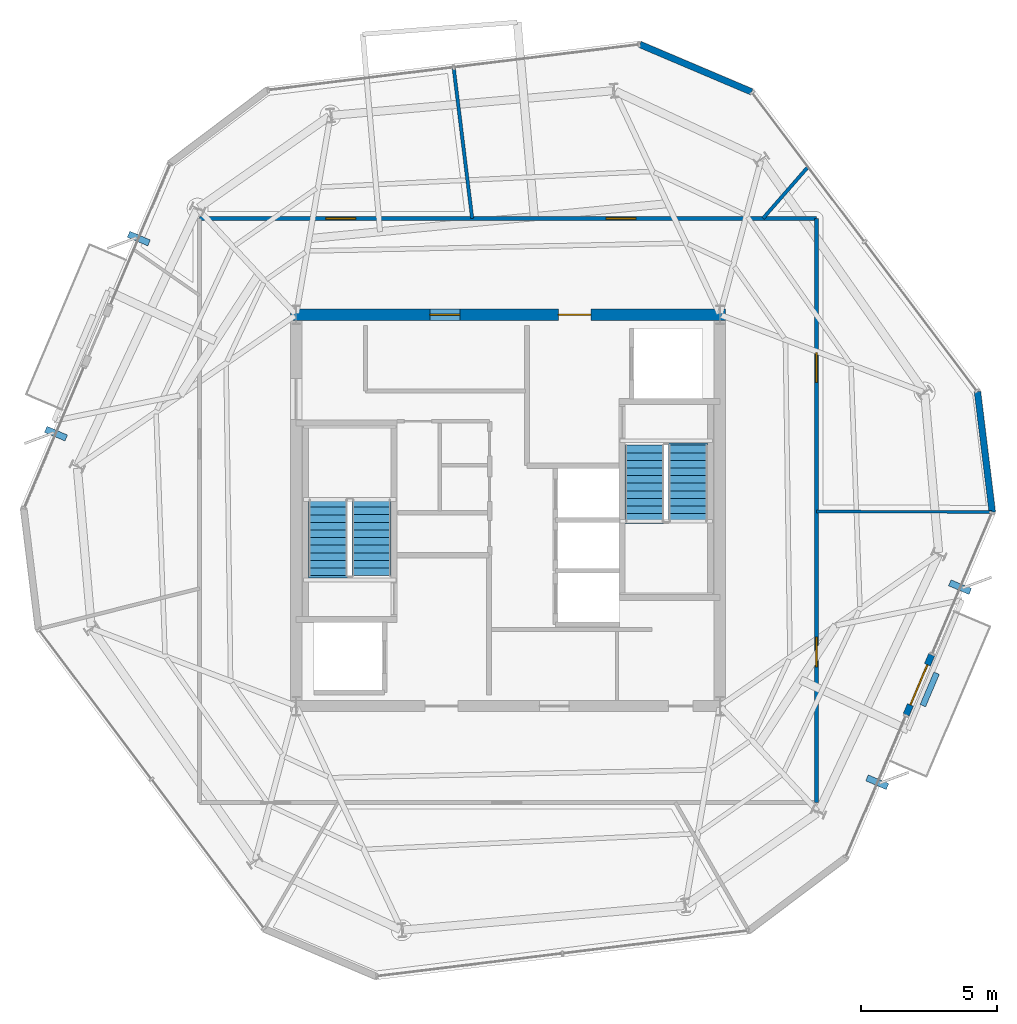
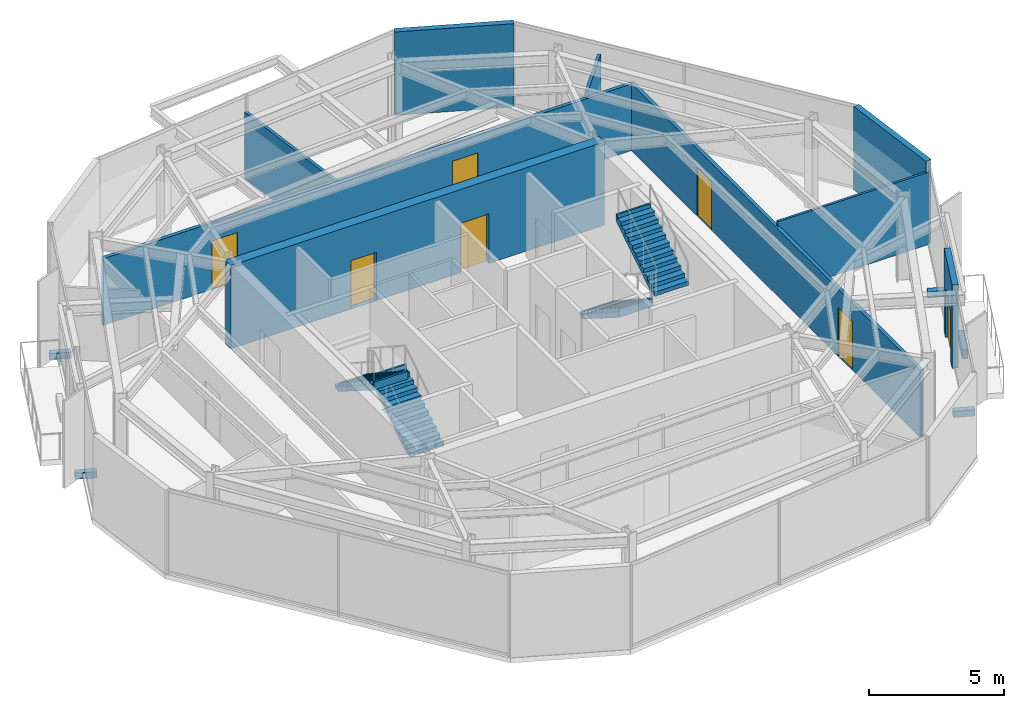
# One storey, part 8 of 11: 10 walls, 7 doors, 4 discrete accessories, 4 stair flights, 7 openings, 2 elements without a shape of their own.
"""IFC4 building model written with IfcOpenShell, lengths in metres."""

from ifc_helpers import new_model, si_unit, direction, frame, frame_2d, origin, origin_2d, place, context, subcontext, project, spatial, polyline, rectangle, outline, extrude, material, layer, layer_set, type_object, element, fill, aggregate, save


model = new_model("IFC4")

# Units and contexts
model_context = context("Model", 3, precision=1e-05, world=origin(), true_north=direction((0.0, 1.0)))
body_context = subcontext(model_context, "Body", "Model", "MODEL_VIEW")
ifc_project = project(units=[si_unit("LENGTHUNIT", "METRE"), si_unit("AREAUNIT", "SQUARE_METRE"), si_unit("VOLUMEUNIT", "CUBIC_METRE"), si_unit("PLANEANGLEUNIT", "RADIAN"), si_unit("MASSUNIT", "GRAM", prefix="KILO")], contexts=[model_context])

# Site, building, storey
site_placement = place(None, origin())
site = spatial("IfcSite", under=ifc_project, at=site_placement, CompositionType="ELEMENT")
building_placement = place(site_placement, origin())
building = spatial("IfcBuilding", under=site, at=building_placement, Name="Kranzbogen Civic Tower", CompositionType="ELEMENT")
storey_placement = place(building_placement, frame((0.0, 0.0, 294.199951171875)))
storey = spatial("IfcBuildingStorey", under=building, at=storey_placement, Name="L71", CompositionType="ELEMENT", Elevation=294.199951171875)

# Wall, openings, doors
ifc_material_1 = material(Name="Double-Stud Acoustic Gypsum Partition")
ifc_layer_1 = layer(ifc_material_1, 0.14990234375, Name="Double-Stud Acoustic Gypsum Partition")
ifc_layer_set_1 = layer_set([ifc_layer_1], Name="Double-Stud Acoustic Gypsum Partition")
wall_type_1 = type_object("IfcWallType", Name="Acoustic Corridor and Clinical Partition 150 mm", PredefinedType="PARTITIONING", material=ifc_layer_set_1)
wall_1_placement = place(storey_placement, frame((13.64990234375, 35.75, 0.0), z_axis=(0.0, 0.0, 1.0), x_axis=(1.0, 0.0, 0.0)))
wall_1 = element("IfcWall", 1, at=wall_1_placement, inside=storey, type_object=wall_type_1, Name="L71 corridor partition 01", PredefinedType="PARTITIONING", context=body_context, shape_type="SweptSolid", body=[
    extrude(rectangle(XDim=22.7001953125, YDim=0.14990234375, at=frame_2d((11.35009765625, 0.0))), origin(), (0.0, 0.0, 1.0), 3.02001953125),
])
opening_1_placement = place(wall_1_placement, frame((14.9580078125, 0.0, 0.0)))
opening_1 = element("IfcOpeningElement", 2, at=opening_1_placement, cuts=wall_1, Name="Opening D-COR60", PredefinedType="OPENING", context=body_context, shape_type="SweptSolid", body=[
    extrude(rectangle(XDim=1.10009765625, YDim=2.199951171875, at=frame_2d((0.550048828125, 1.10009765625))), frame((0.0, 0.0849609375, 0.0), z_axis=(0.0, -1.0, 0.0), x_axis=(1.0, 0.0, 0.0)), (0.0, 0.0, 1.0), 0.169921875),
])
opening_2_placement = place(wall_1_placement, frame((4.64404296875, 0.0, 0.0)))
opening_2 = element("IfcOpeningElement", 3, at=opening_2_placement, cuts=wall_1, Name="Opening D-COR60", PredefinedType="OPENING", context=body_context, shape_type="SweptSolid", body=[
    extrude(rectangle(XDim=1.10009765625, YDim=2.199951171875, at=frame_2d((0.550048828125, 1.10009765625))), frame((0.0, 0.0849609375, 0.0), z_axis=(0.0, -1.0, 0.0), x_axis=(1.0, 0.0, 0.0)), (0.0, 0.0, 1.0), 0.169921875),
])
ifc_material_2 = material(Name="Oak Timber and Fire Core", Category="wood")
door_type_1 = type_object("IfcDoorType", Name="Corridor Acoustic Fire Door 1100x2200", OperationType="NOTDEFINED", PredefinedType="DOOR", material=ifc_material_2)
door_1_placement = place(opening_1_placement, origin())
door_1 = element("IfcDoor", 4, at=door_1_placement, inside=storey, type_object=door_type_1, Name="L71 Central Mail Post Room door", OperationType="SINGLE_SWING_RIGHT", OverallHeight=2.199951171875, OverallWidth=1.10009765625, PredefinedType="DOOR", context=body_context, shape_type="SweptSolid", body=[
    extrude(rectangle(XDim=1.10009765625, YDim=2.199951171875, at=frame_2d((0.550048828125, 1.10009765625))), frame((0.0, 0.02490234375, 0.0), z_axis=(0.0, -1.0, 0.0), x_axis=(1.0, 0.0, 0.0)), (0.0, 0.0, 1.0), 0.050048828125),
])
fill(opening_1, door_1)
door_2_placement = place(opening_2_placement, origin())
door_2 = element("IfcDoor", 5, at=door_2_placement, inside=storey, type_object=door_type_1, Name="L71 Duty Crew Control Room door", OperationType="SINGLE_SWING_LEFT", OverallHeight=2.199951171875, OverallWidth=1.10009765625, PredefinedType="DOOR", context=body_context, shape_type="SweptSolid", body=[
    extrude(rectangle(XDim=1.10009765625, YDim=2.199951171875, at=frame_2d((0.550048828125, 1.10009765625))), frame((0.0, 0.02490234375, 0.0), z_axis=(0.0, -1.0, 0.0), x_axis=(1.0, 0.0, 0.0)), (0.0, 0.0, 1.0), 0.050048828125),
])
fill(opening_2, door_2)

wall_2_placement = place(storey_placement, frame((36.35009765625, 35.75, 0.0), z_axis=(0.0, 0.0, 1.0), x_axis=(0.0, -1.0, 0.0)))
wall_2 = element("IfcWall", 6, at=wall_2_placement, inside=storey, type_object=wall_type_1, Name="L71 corridor partition 02", PredefinedType="PARTITIONING", context=body_context, shape_type="SweptSolid", body=[
    extrude(rectangle(XDim=21.5, YDim=0.14990234375, at=frame_2d((10.75, 0.0))), origin(), (0.0, 0.0, 1.0), 3.050048828125),
])
opening_3_placement = place(wall_2_placement, frame((15.410888671875, 0.0, 0.0)))
opening_3 = element("IfcOpeningElement", 7, at=opening_3_placement, cuts=wall_2, Name="Opening D-COR60", PredefinedType="OPENING", context=body_context, shape_type="SweptSolid", body=[
    extrude(rectangle(XDim=1.10009765625, YDim=2.199951171875, at=frame_2d((0.550048828125, 1.10009765625))), frame((0.0, 0.0849609375, 0.0), z_axis=(0.0, -1.0, 0.0), x_axis=(1.0, 0.0, 0.0)), (0.0, 0.0, 1.0), 0.169921875),
])
opening_4_placement = place(wall_2_placement, frame((4.93896484375, 0.0, 0.0)))
opening_4 = element("IfcOpeningElement", 8, at=opening_4_placement, cuts=wall_2, Name="Opening D-COR60", PredefinedType="OPENING", context=body_context, shape_type="SweptSolid", body=[
    extrude(rectangle(XDim=1.10009765625, YDim=2.199951171875, at=frame_2d((0.550048828125, 1.10009765625))), frame((0.0, 0.0849609375, 0.0), z_axis=(0.0, -1.0, 0.0), x_axis=(1.0, 0.0, 0.0)), (0.0, 0.0, 1.0), 0.169921875),
])
door_3_placement = place(opening_3_placement, origin())
door_3 = element("IfcDoor", 9, at=door_3_placement, inside=storey, type_object=door_type_1, Name="L71 Protocol Entrance Reception door", OperationType="SINGLE_SWING_RIGHT", OverallHeight=2.199951171875, OverallWidth=1.10009765625, PredefinedType="DOOR", context=body_context, shape_type="SweptSolid", body=[
    extrude(rectangle(XDim=1.10009765625, YDim=2.199951171875, at=frame_2d((0.550048828125, 1.10009765625))), frame((0.0, 0.02490234375, 0.0), z_axis=(0.0, -1.0, 0.0), x_axis=(1.0, 0.0, 0.0)), (0.0, 0.0, 1.0), 0.050048828125),
])
fill(opening_3, door_3)
door_4_placement = place(opening_4_placement, origin())
door_4 = element("IfcDoor", 10, at=door_4_placement, inside=storey, type_object=door_type_1, Name="L71 Operations Security Control Room door", OperationType="SINGLE_SWING_LEFT", OverallHeight=2.199951171875, OverallWidth=1.10009765625, PredefinedType="DOOR", context=body_context, shape_type="SweptSolid", body=[
    extrude(rectangle(XDim=1.10009765625, YDim=2.199951171875, at=frame_2d((0.550048828125, 1.10009765625))), frame((0.0, 0.02490234375, 0.0), z_axis=(0.0, -1.0, 0.0), x_axis=(1.0, 0.0, 0.0)), (0.0, 0.0, 1.0), 0.050048828125),
])
fill(opening_4, door_4)

# Walls
ifc_material_3 = material(Name="Insulated Metal-Stud Gypsum Partition")
ifc_layer_2 = layer(ifc_material_3, 0.125, Name="Insulated Metal-Stud Gypsum Partition")
ifc_layer_set_2 = layer_set([ifc_layer_2], Name="Insulated Metal-Stud Gypsum Partition")
wall_type_2 = type_object("IfcWallType", Name="Acoustic Inter-Room Partition 125 mm", PredefinedType="PARTITIONING", material=ifc_layer_set_2)
wall_3_placement = place(storey_placement, frame((23.679931640625, 35.75, 0.0), z_axis=(0.0, 0.0, 1.0), x_axis=(-0.121774165896, 0.992557833338, 0.0)))
element("IfcWall", 11, at=wall_3_placement, inside=storey, type_object=wall_type_2, Name="L71 radial room partition 01", PredefinedType="PARTITIONING", context=body_context, shape_type="SweptSolid", body=[
    extrude(rectangle(XDim=5.58349609375, YDim=0.125, at=frame_2d((2.791748046875, 0.0))), origin(), (0.0, 0.0, 1.0), 3.02001953125),
])
wall_4_placement = place(storey_placement, frame((34.386962890625, 35.75, 0.0), z_axis=(0.0, 0.0, 1.0), x_axis=(0.657903000059, 0.753102677271, 0.0)))
element("IfcWall", 12, at=wall_4_placement, inside=storey, type_object=wall_type_2, Name="L71 radial room partition 07", PredefinedType="PARTITIONING", context=body_context, shape_type="SweptSolid", body=[
    extrude(rectangle(XDim=2.50048828125, YDim=0.125, at=frame_2d((1.250244140625, 0.0))), origin(), (0.0, 0.0, 1.0), 3.280029296875),
])
ifc_material_4 = material(Name="Architectural Precast Terracotta Concrete C40/50", Category="masonry")
ifc_layer_3 = layer(ifc_material_4, 0.219970703125, Name="Architectural Precast Terracotta Concrete C40/50")
ifc_layer_set_3 = layer_set([ifc_layer_3], Name="Architectural Precast Terracotta Concrete C40/50")
wall_type_3 = type_object("IfcWallType", Name="Architectural Tree Planter Kerb Wall 220 mm", PredefinedType="USERDEFINED", material=ifc_layer_set_3)
wall_5_placement = place(storey_placement, frame((40.26806640625, 17.81298828125, 0.0), z_axis=(0.0, 0.0, 1.0), x_axis=(0.390810390969, 0.920471204498, 0.0)))
element("IfcWall", 13, at=wall_5_placement, inside=storey, type_object=wall_type_3, Name="L71 landscaped tree balcony planter L71-TB2", ObjectType="PLANTER_WALL", PredefinedType="USERDEFINED", context=body_context, shape_type="SweptSolid", body=[
    extrude(rectangle(XDim=1.29931640625, YDim=0.219970703125, at=frame_2d((0.649658203125, 0.0))), origin(), (0.0, 0.0, 1.0), 0.400146484375),
])

# Wall, openings, doors
ifc_material_5 = material(Name="Concrete C45/55", Category="concrete")
ifc_layer_4 = layer(ifc_material_5, 0.419921875, Name="Concrete C45/55")
ifc_layer_set_4 = layer_set([ifc_layer_4], Name="Concrete C45/55")
wall_type_4 = type_object("IfcWallType", Name="Central Core Shear Wall 420 mm", PredefinedType="SHEAR", material=ifc_layer_set_4)
wall_6_placement = place(storey_placement, frame((33.010009765625, 32.199951171875, 0.0), z_axis=(0.0, 0.0, 1.0), x_axis=(-1.0, 0.0, 0.0)))
wall_6 = element("IfcWall", 14, at=wall_6_placement, inside=storey, type_object=wall_type_4, Name="L71 central core North shear wall", PredefinedType="SHEAR", context=body_context, shape_type="SweptSolid", body=[
    extrude(rectangle(XDim=16.02001953125, YDim=0.419921875, at=frame_2d((8.010009765625, 0.0))), origin(), (0.0, 0.0, 1.0), 3.780029296875),
])
opening_5_placement = place(wall_6_placement, frame((4.9599609375, 0.0, 0.0)))
opening_5 = element("IfcOpeningElement", 15, at=opening_5_placement, cuts=wall_6, Name="Opening D-EX120", PredefinedType="OPENING", context=body_context, shape_type="SweptSolid", body=[
    extrude(rectangle(XDim=1.199951171875, YDim=2.25, at=frame_2d((0.60009765625, 1.125))), frame((0.0, 0.219970703125, 0.0), z_axis=(0.0, -1.0, 0.0), x_axis=(1.0, 0.0, 0.0)), (0.0, 0.0, 1.0), 0.43994140625),
])
opening_6_placement = place(wall_6_placement, frame((9.784912109375, 0.0, 0.0)))
opening_6 = element("IfcOpeningElement", 16, at=opening_6_placement, cuts=wall_6, Name="Opening D-COR60", PredefinedType="OPENING", context=body_context, shape_type="SweptSolid", body=[
    extrude(rectangle(XDim=1.10009765625, YDim=2.199951171875, at=frame_2d((0.550048828125, 1.10009765625))), frame((0.0, 0.219970703125, 0.0), z_axis=(0.0, -1.0, 0.0), x_axis=(1.0, 0.0, 0.0)), (0.0, 0.0, 1.0), 0.43994140625),
])
door_5_placement = place(opening_6_placement, origin())
door_5 = element("IfcDoor", 17, at=door_5_placement, inside=storey, type_object=door_type_1, Name="L71 DAT1 comms room door", OperationType="SINGLE_SWING_LEFT", OverallHeight=2.199951171875, OverallWidth=1.10009765625, PredefinedType="DOOR", context=body_context, shape_type="SweptSolid", body=[
    extrude(rectangle(XDim=1.10009765625, YDim=2.199951171875, at=frame_2d((0.550048828125, 1.10009765625))), frame((0.0, 0.02490234375, 0.0), z_axis=(0.0, -1.0, 0.0), x_axis=(1.0, 0.0, 0.0)), (0.0, 0.0, 1.0), 0.050048828125),
])
fill(opening_6, door_5)
ifc_material_6 = material(Name="Steel S355", Category="steel")
door_type_2 = type_object("IfcDoorType", Name="Exit Passageway Fire Door 1200x2250", OperationType="NOTDEFINED", PredefinedType="DOOR", material=ifc_material_6)
door_6_placement = place(opening_5_placement, origin())
door_6 = element("IfcDoor", 18, at=door_6_placement, inside=storey, type_object=door_type_2, Name="L71 East firefighting lobby corridor door", OperationType="SINGLE_SWING_RIGHT", OverallHeight=2.25, OverallWidth=1.199951171875, PredefinedType="DOOR", context=body_context, shape_type="SweptSolid", body=[
    extrude(rectangle(XDim=1.199951171875, YDim=2.25, at=frame_2d((0.60009765625, 1.125))), frame((0.0, 0.02490234375, 0.0), z_axis=(0.0, -1.0, 0.0), x_axis=(1.0, 0.0, 0.0)), (0.0, 0.0, 1.0), 0.050048828125),
])
fill(opening_5, door_6)

# Wall
ifc_material_7 = material(Name="Demountable Aluminium and Gypsum Partition", Category="aluminium")
ifc_layer_5 = layer(ifc_material_7, 0.10009765625, Name="Demountable Aluminium and Gypsum Partition")
ifc_layer_set_5 = layer_set([ifc_layer_5], Name="Demountable Aluminium and Gypsum Partition")
wall_type_5 = type_object("IfcWallType", Name="Demountable Office Partition 100 mm", PredefinedType="MOVABLE", material=ifc_layer_set_5)
wall_7_placement = place(storey_placement, frame((36.35009765625, 24.9609375, 0.0), z_axis=(0.0, 0.0, 1.0), x_axis=(0.999994709784, -0.003252753321, 0.0)))
element("IfcWall", 19, at=wall_7_placement, inside=storey, type_object=wall_type_5, Name="L71 radial room partition 06", PredefinedType="MOVABLE", context=body_context, shape_type="SweptSolid", body=[
    extrude(rectangle(XDim=6.454833984375, YDim=0.10009765625, at=frame_2d((3.2275390625, 0.0))), origin(), (0.0, 0.0, 1.0), 3.280029296875),
])

# Wall, opening, door
ifc_material_8 = material(Name="Pale Anodised Aluminium", Category="aluminium")
ifc_layer_6 = layer(ifc_material_8, 0.239990234375, Name="Pale Anodised Aluminium")
ifc_layer_set_6 = layer_set([ifc_layer_6], Name="Pale Anodised Aluminium")
wall_type_6 = type_object("IfcWallType", Name="Insulated Aluminium Facade Portal Wall 240 mm", PredefinedType="STANDARD", material=ifc_layer_set_6)
wall_8_placement = place(storey_placement, frame((39.654052734375, 17.47607421875, 0.0), z_axis=(0.0, 0.0, 1.0), x_axis=(0.390847654615, 0.920455382342, 0.0)))
wall_8 = element("IfcWall", 20, at=wall_8_placement, inside=storey, type_object=wall_type_6, Name="L71 exterior entrance portal wall 1", PredefinedType="STANDARD", context=body_context, shape_type="SweptSolid", body=[
    extrude(rectangle(XDim=2.39990234375, YDim=0.239990234375, at=frame_2d((1.199951171875, 0.0))), origin(), (0.0, 0.0, 1.0), 3.780029296875),
])
opening_7_placement = place(wall_8_placement, frame((0.39990234375, 0.0, 0.0)))
opening_7 = element("IfcOpeningElement", 21, at=opening_7_placement, cuts=wall_8, Name="Opening D-TER", PredefinedType="OPENING", context=body_context, shape_type="SweptSolid", body=[
    extrude(rectangle(XDim=1.60009765625, YDim=2.25, at=frame_2d((0.800048828125, 1.125))), frame((0.0, 0.1298828125, 0.0), z_axis=(0.0, -1.0, 0.0), x_axis=(1.0, 0.0, 0.0)), (0.0, 0.0, 1.0), 0.260009765625),
])
ifc_material_9 = material(Name="Anodised Bronze and Triple Glass", Category="glass")
door_type_3 = type_object("IfcDoorType", Name="Glazed Terrace and Balcony Double Door 1600x2250", OperationType="DOUBLE_DOOR_SINGLE_SWING", PredefinedType="DOOR", material=ifc_material_9)
door_7_placement = place(opening_7_placement, frame((1.60009765625, 0.0, 0.0), z_axis=(0.0, 0.0, 1.0), x_axis=(-1.0, 0.0, 0.0)))
door_7 = element("IfcDoor", 22, at=door_7_placement, inside=storey, type_object=door_type_3, Name="L71 tree balcony access door L71-TB2", OperationType="DOUBLE_DOOR_SINGLE_SWING", OverallHeight=2.25, OverallWidth=1.60009765625, PredefinedType="DOOR", context=body_context, shape_type="SweptSolid", body=[
    extrude(rectangle(XDim=1.60009765625, YDim=2.25, at=frame_2d((0.800048828125, 1.125))), frame((0.0, 0.02490234375, 0.0), z_axis=(0.0, -1.0, 0.0), x_axis=(1.0, 0.0, 0.0)), (0.0, 0.0, 1.0), 0.050048828125),
])
fill(opening_7, door_7)

# Walls
wall_9_placement = place(storey_placement, frame((42.822021484375, 24.93896484375, 0.0), z_axis=(0.0, 0.0, 1.0), x_axis=(-0.121813815836, 0.992552967993, 0.0)))
element("IfcWall", 23, at=wall_9_placement, inside=storey, type_object=wall_type_6, Name="L71 chamfered corner facade spandrel 5", PredefinedType="STANDARD", context=body_context, shape_type="SweptSolid", body=[
    extrude(rectangle(XDim=4.46533203125, YDim=0.239990234375, at=frame_2d((2.232666015625, 0.0))), origin(), (0.0, 0.0, 1.0), 3.780029296875),
])
wall_10_placement = place(storey_placement, frame((33.964111328125, 40.404052734375, 0.0), z_axis=(0.0, 0.0, 1.0), x_axis=(-0.92048584613, 0.390775903908, 0.0)))
element("IfcWall", 24, at=wall_10_placement, inside=storey, type_object=wall_type_6, Name="L71 chamfered corner facade spandrel 6", PredefinedType="STANDARD", context=body_context, shape_type="SweptSolid", body=[
    extrude(rectangle(XDim=4.465087890625, YDim=0.239990234375, at=frame_2d((2.232421875, 0.0))), origin(), (0.0, 0.0, 1.0), 3.780029296875),
])

# Stair, stair flights
ifc_material_10 = material(Name="Precast concrete C40/50", Category="concrete")
stair_type_1 = type_object("IfcStairType", Name="Tower Core Pressurized Dogleg Stair 1450", PredefinedType="HALF_TURN_STAIR", material=ifc_material_10)
stair_1_placement = place(storey_placement, origin())
stair_1 = element("IfcStair", 25, at=stair_1_placement, inside=storey, type_object=stair_type_1, Name="L71 Tower Core Pressurized Stair 1", PredefinedType="HALF_TURN_STAIR")
stair_flight_type = type_object("IfcStairFlightType", Name="Precast Concrete Stair Flight R180", PredefinedType="STRAIGHT", material=ifc_material_10)
stair_flight_1_placement = place(storey_placement, frame((19.97509765625, 22.60009765625, 0.0), z_axis=(0.0, 0.0, 1.0), x_axis=(0.0, 1.0, 0.0)))
stair_flight_1 = element("IfcStairFlight", 26, at=stair_flight_1_placement, type_object=stair_flight_type, Name="ST-T1 flight 1", NumberOfRisers=11, NumberOfTreads=10, PredefinedType="STRAIGHT", RiserHeight=0.181818182, TreadLength=0.28, context=body_context, shape_type="SweptSolid", body=[
    extrude(outline(polyline([(0.0, 0.0), (0.0, 0.181884765625), (0.280029296875, 0.181884765625), (0.280029296875, 0.363525390625), (0.56005859375, 0.363525390625), (0.56005859375, 0.54541015625), (0.840087890625, 0.54541015625), (0.840087890625, 0.727294921875), (1.1201171875, 0.727294921875), (1.1201171875, 0.9091796875), (1.39990234375, 0.9091796875), (1.39990234375, 1.0908203125), (1.679931640625, 1.0908203125), (1.679931640625, 1.272705078125), (1.9599609375, 1.272705078125), (1.9599609375, 1.45458984375), (2.239990234375, 1.45458984375), (2.239990234375, 1.636474609375), (2.52001953125, 1.636474609375), (2.52001953125, 1.818115234375), (2.800048828125, 1.818115234375), (2.800048828125, 2.0), (2.880126953125, 2.0), (2.880126953125, 1.639404296875), (0.275146484375, 0.0), (0.0, 0.0)])), frame((0.0, 0.72509765625, 0.0), z_axis=(0.0, -1.0, 0.0), x_axis=(1.0, 0.0, 0.0)), (0.0, 0.0, 1.0), 1.449951171875),
])
stair_flight_2_placement = place(storey_placement, frame((18.375, 25.39990234375, 2.0), z_axis=(0.0, 0.0, 1.0), x_axis=(0.0, -1.0, 0.0)))
stair_flight_2 = element("IfcStairFlight", 27, at=stair_flight_2_placement, type_object=stair_flight_type, Name="ST-T1 flight 2", NumberOfRisers=11, NumberOfTreads=10, PredefinedType="STRAIGHT", RiserHeight=0.181818182, TreadLength=0.28, context=body_context, shape_type="SweptSolid", body=[
    extrude(outline(polyline([(0.0, 0.0), (0.0, 0.181884765625), (0.280029296875, 0.181884765625), (0.280029296875, 0.363525390625), (0.56005859375, 0.363525390625), (0.56005859375, 0.54541015625), (0.840087890625, 0.54541015625), (0.840087890625, 0.727294921875), (1.1201171875, 0.727294921875), (1.1201171875, 0.9091796875), (1.39990234375, 0.9091796875), (1.39990234375, 1.0908203125), (1.679931640625, 1.0908203125), (1.679931640625, 1.272705078125), (1.9599609375, 1.272705078125), (1.9599609375, 1.45458984375), (2.239990234375, 1.45458984375), (2.239990234375, 1.636474609375), (2.52001953125, 1.636474609375), (2.52001953125, 1.818115234375), (2.800048828125, 1.818115234375), (2.800048828125, 2.0), (2.880126953125, 2.0), (2.880126953125, 1.639404296875), (0.275146484375, 0.0), (0.0, 0.0)])), frame((0.0, 0.72509765625, 0.0), z_axis=(0.0, -1.0, 0.0), x_axis=(1.0, 0.0, 0.0)), (0.0, 0.0, 1.0), 1.449951171875),
])
aggregate(stair_1, [stair_flight_1, stair_flight_2])

stair_type_2 = type_object("IfcStairType", Name="Tower Core Secondary Dogleg Stair 1450", PredefinedType="HALF_TURN_STAIR", material=ifc_material_10)
stair_2_placement = place(storey_placement, origin())
stair_2 = element("IfcStair", 28, at=stair_2_placement, inside=storey, type_object=stair_type_2, Name="L71 Tower Core Pressurized Stair 2", PredefinedType="HALF_TURN_STAIR")
stair_flight_3_placement = place(storey_placement, frame((30.02490234375, 27.39990234375, 0.0), z_axis=(0.0, 0.0, 1.0), x_axis=(0.0, -1.0, 0.0)))
stair_flight_3 = element("IfcStairFlight", 29, at=stair_flight_3_placement, type_object=stair_flight_type, Name="ST-T2 flight 1", NumberOfRisers=11, NumberOfTreads=10, PredefinedType="STRAIGHT", RiserHeight=0.181818182, TreadLength=0.28, context=body_context, shape_type="SweptSolid", body=[
    extrude(outline(polyline([(0.0, 0.0), (0.0, 0.181884765625), (0.280029296875, 0.181884765625), (0.280029296875, 0.363525390625), (0.56005859375, 0.363525390625), (0.56005859375, 0.54541015625), (0.840087890625, 0.54541015625), (0.840087890625, 0.727294921875), (1.1201171875, 0.727294921875), (1.1201171875, 0.9091796875), (1.39990234375, 0.9091796875), (1.39990234375, 1.0908203125), (1.679931640625, 1.0908203125), (1.679931640625, 1.272705078125), (1.9599609375, 1.272705078125), (1.9599609375, 1.45458984375), (2.239990234375, 1.45458984375), (2.239990234375, 1.636474609375), (2.52001953125, 1.636474609375), (2.52001953125, 1.818115234375), (2.800048828125, 1.818115234375), (2.800048828125, 2.0), (2.880126953125, 2.0), (2.880126953125, 1.639404296875), (0.275146484375, 0.0), (0.0, 0.0)])), frame((0.0, 0.72509765625, 0.0), z_axis=(0.0, -1.0, 0.0), x_axis=(1.0, 0.0, 0.0)), (0.0, 0.0, 1.0), 1.449951171875),
])
stair_flight_4_placement = place(storey_placement, frame((31.625, 24.60009765625, 2.0), z_axis=(0.0, 0.0, 1.0), x_axis=(0.0, 1.0, 0.0)))
stair_flight_4 = element("IfcStairFlight", 30, at=stair_flight_4_placement, type_object=stair_flight_type, Name="ST-T2 flight 2", NumberOfRisers=11, NumberOfTreads=10, PredefinedType="STRAIGHT", RiserHeight=0.181818182, TreadLength=0.28, context=body_context, shape_type="SweptSolid", body=[
    extrude(outline(polyline([(0.0, 0.0), (0.0, 0.181884765625), (0.280029296875, 0.181884765625), (0.280029296875, 0.363525390625), (0.56005859375, 0.363525390625), (0.56005859375, 0.54541015625), (0.840087890625, 0.54541015625), (0.840087890625, 0.727294921875), (1.1201171875, 0.727294921875), (1.1201171875, 0.9091796875), (1.39990234375, 0.9091796875), (1.39990234375, 1.0908203125), (1.679931640625, 1.0908203125), (1.679931640625, 1.272705078125), (1.9599609375, 1.272705078125), (1.9599609375, 1.45458984375), (2.239990234375, 1.45458984375), (2.239990234375, 1.636474609375), (2.52001953125, 1.636474609375), (2.52001953125, 1.818115234375), (2.800048828125, 1.818115234375), (2.800048828125, 2.0), (2.880126953125, 2.0), (2.880126953125, 1.639404296875), (0.275146484375, 0.0), (0.0, 0.0)])), frame((0.0, 0.72509765625, 0.0), z_axis=(0.0, -1.0, 0.0), x_axis=(1.0, 0.0, 0.0)), (0.0, 0.0, 1.0), 1.449951171875),
])
aggregate(stair_2, [stair_flight_3, stair_flight_4])

# Discrete accessories
discrete_accessory_type = type_object("IfcDiscreteAccessoryType", Name="Structural Curtain-Wall Fin Support Bracket", PredefinedType="BRACKET", material=ifc_material_6)
for number, where, z_axis, x_axis, name in (
    (31, (11.410888671875, 35.0048828125, -0.25), (0.0, 0.0, 1.0), (-0.920504853452, 0.390731128489, 0.0), "L71 facade fin support bracket F2-1"),
    (32, (8.363037109375, 27.824951171875, -0.25), (0.0, 0.0, 1.0), (-0.920504853452, 0.390731128489, 0.0), "L71 facade fin support bracket F2-4"),
    (33, (38.589111328125, 14.9951171875, -0.25), (0.0, 0.0, 1.0), (0.920504853452, -0.390731128489, 0.0), "L71 facade fin support bracket F5-1"),
    (34, (41.636962890625, 22.175048828125, -0.25), (0.0, 0.0, 1.0), (0.920504853452, -0.390731128489, 0.0), "L71 facade fin support bracket F5-4"),
):
    element("IfcDiscreteAccessory", number, at=place(storey_placement, frame(where, z_axis=z_axis, x_axis=x_axis)), inside=storey, type_object=discrete_accessory_type, Name=name, PredefinedType="BRACKET", context=body_context, shape_type="SweptSolid", body=[
        extrude(rectangle(XDim=0.820068359375, YDim=0.239990234375, at=origin_2d()), origin(), (0.0, 0.0, 1.0), 0.280029296875),
    ])

save(model, "model.ifc")
